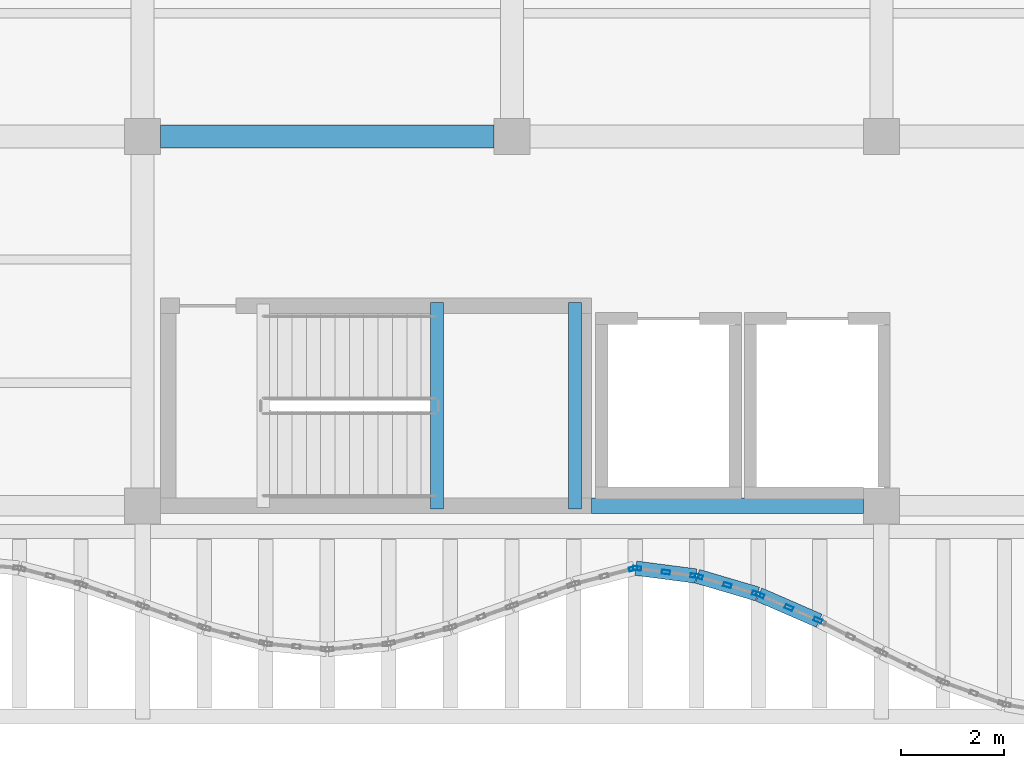
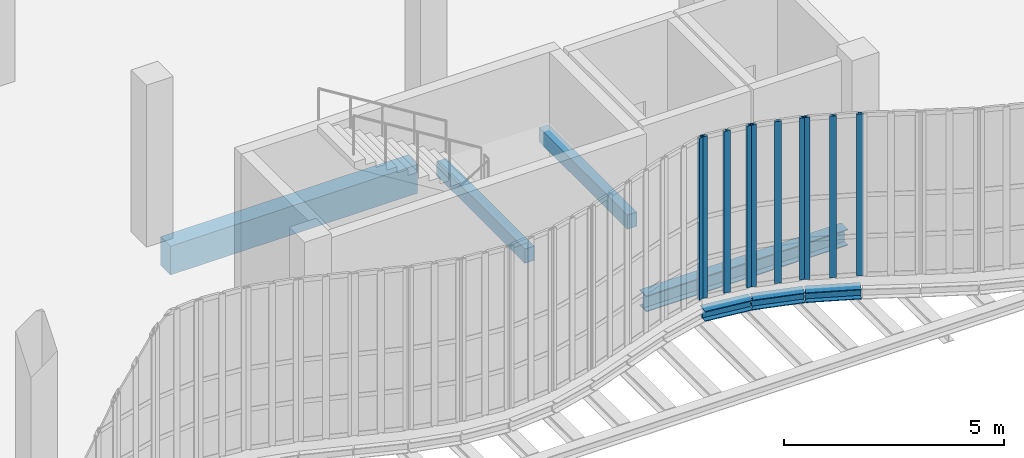
# One storey, part 17 of 108: 10 members, 7 beams, 4 elements without a shape of their own.
"""IFC4 building model written with IfcOpenShell, lengths in metres."""

from ifc_helpers import new_model, si_unit, direction, frame, origin, origin_2d, place, context, subcontext, project, spatial, rectangle, hollow_rectangle, i_section, extrude, material, layer, layer_set, material_profile, profile_set, type_object, element, aggregate, save


model = new_model("IFC4")

# Units and contexts
model_context = context("Model", 3, precision=1e-05, world=origin(), true_north=direction((0.0, 1.0)))
body_context = subcontext(model_context, "Body", "Model", "MODEL_VIEW")
ifc_project = project(units=[si_unit("LENGTHUNIT", "METRE"), si_unit("AREAUNIT", "SQUARE_METRE"), si_unit("VOLUMEUNIT", "CUBIC_METRE"), si_unit("PLANEANGLEUNIT", "RADIAN"), si_unit("MASSUNIT", "GRAM", prefix="KILO"), si_unit("THERMODYNAMICTEMPERATUREUNIT", "KELVIN"), si_unit("POWERUNIT", "WATT")], contexts=[model_context])

# Site, building, storey
site_placement = place(None, origin())
site = spatial("IfcSite", under=ifc_project, at=site_placement, CompositionType="ELEMENT")
building_placement = place(site_placement, origin())
building = spatial("IfcBuilding", under=site, at=building_placement, Name="Kaldorven Railside Theatre", CompositionType="ELEMENT")
storey_placement = place(building_placement, frame((0.0, 0.0, 5.39990234375)))
storey = spatial("IfcBuildingStorey", under=building, at=storey_placement, Name="L01", CompositionType="ELEMENT", Elevation=5.39990234375)

# Beams
ifc_material_1 = material(Name="Steel S355", Category="steel")
ifc_material_profile_1 = material_profile(ifc_material_1, i_section(OverallWidth=0.280029296875, OverallDepth=0.280029296875, WebThickness=0.010498046875, FlangeThickness=0.01806640625, at=origin_2d()), Name="HEB 280")
ifc_profile_set_1 = profile_set([ifc_material_profile_1], Name="Steel S355")
beam_type_1 = type_object("IfcBeamType", Name="BM-HEB280", PredefinedType="SPANDREL", material=ifc_profile_set_1)
beam_1_placement = place(storey_placement, frame((68.014892578125, 17.984130859375, -0.43994140625), z_axis=(0.991684423409, -0.12869345115, 0.0), x_axis=(0.12869345115, 0.991684423409, 0.0)))
element("IfcBeam", 1, at=beam_1_placement, inside=storey, type_object=beam_type_1, Name="L01 Sinusoidal Flute Edge Spandrel FSB-027", PredefinedType="SPANDREL", context=body_context, shape_type="SweptSolid", body=[
    extrude(i_section(OverallWidth=0.280029296875, OverallDepth=0.280029296875, WebThickness=0.010498046875, FlangeThickness=0.01806640625, at=origin_2d()), origin(), (0.0, 0.0, 1.0), 1.179931640625),
])
beam_2_placement = place(storey_placement, frame((69.21435546875, 17.826171875, -0.43994140625), z_axis=(0.959142332249, -0.28292399419, 0.0), x_axis=(0.28292399419, 0.959142332249, 0.0)))
element("IfcBeam", 2, at=beam_2_placement, inside=storey, type_object=beam_type_1, Name="L01 Sinusoidal Flute Edge Spandrel FSB-028", PredefinedType="SPANDREL", context=body_context, shape_type="SweptSolid", body=[
    extrude(i_section(OverallWidth=0.280029296875, OverallDepth=0.280029296875, WebThickness=0.010498046875, FlangeThickness=0.01806640625, at=origin_2d()), origin(), (0.0, 0.0, 1.0), 1.220947265625),
])
beam_3_placement = place(storey_placement, frame((70.413818359375, 17.470458984375, -0.43994140625), z_axis=(0.916988066929, -0.398914633864, 0.0), x_axis=(0.398914633864, 0.916988066929, 0.0)))
element("IfcBeam", 3, at=beam_3_placement, inside=storey, type_object=beam_type_1, Name="L01 Sinusoidal Flute Edge Spandrel FSB-029", PredefinedType="SPANDREL", context=body_context, shape_type="SweptSolid", body=[
    extrude(i_section(OverallWidth=0.280029296875, OverallDepth=0.280029296875, WebThickness=0.010498046875, FlangeThickness=0.01806640625, at=origin_2d()), origin(), (0.0, 0.0, 1.0), 1.278564453125),
])
ifc_material_profile_2 = material_profile(ifc_material_1, i_section(OverallWidth=0.300048828125, OverallDepth=0.449951171875, WebThickness=0.013916015625, FlangeThickness=0.02587890625, at=origin_2d()), Name="HEB 450")
ifc_profile_set_2 = profile_set([ifc_material_profile_2], Name="Steel S355")
beam_type_2 = type_object("IfcBeamType", Name="BM-HEB450", PredefinedType="BEAM", material=ifc_profile_set_2)
beam_4_placement = place(storey_placement, frame((67.14990234375, 19.199951171875, -0.52490234375), z_axis=(1.0, 0.0, 0.0), x_axis=(0.0, 1.0, 0.0)))
element("IfcBeam", 4, at=beam_4_placement, inside=storey, type_object=beam_type_2, Name="L01 South Spandrel Girder BGX-L01-067-019", PredefinedType="BEAM", context=body_context, shape_type="SweptSolid", body=[
    extrude(i_section(OverallWidth=0.300048828125, OverallDepth=0.449951171875, WebThickness=0.013916015625, FlangeThickness=0.02587890625, at=origin_2d()), origin(), (0.0, 0.0, 1.0), 5.300048828125),
])
ifc_material_2 = material(Name="Concrete C40/50", Category="concrete")
ifc_material_profile_3 = material_profile(ifc_material_2, rectangle(XDim=0.25, YDim=0.39990234375, at=origin_2d()), Name="RC 250x400")
ifc_profile_set_3 = profile_set([ifc_material_profile_3], Name="Concrete C40/50")
beam_type_3 = type_object("IfcBeamType", Name="BM-RC250x400", PredefinedType="LINTEL", material=ifc_profile_set_3)
for number, where, z_axis, x_axis, name in (
    (5, (64.135009765625, 19.139892578125, 1.85009765625), (0.0, 1.0, 0.0), (-1.0, 0.0, 0.0), "Stair ST-03 L01 Half-Landing Bearer"),
    (6, (66.830078125, 19.139892578125, 1.85009765625), (0.0, 1.0, 0.0), (-1.0, 0.0, 0.0), "Stair ST-03 L01 Half-Landing Bearer"),
):
    element("IfcBeam", number, at=place(storey_placement, frame(where, z_axis=z_axis, x_axis=x_axis)), inside=storey, type_object=beam_type_3, Name=name, PredefinedType="LINTEL", context=body_context, shape_type="SweptSolid", body=[
        extrude(rectangle(XDim=0.25, YDim=0.39990234375, at=origin_2d()), origin(), (0.0, 0.0, 1.0), 4.02001953125),
    ])
ifc_material_profile_4 = material_profile(ifc_material_2, rectangle(XDim=0.449951171875, YDim=0.800048828125, at=origin_2d()), Name="RC 450x800")
ifc_profile_set_4 = profile_set([ifc_material_profile_4], Name="Concrete C40/50")
beam_type_4 = type_object("IfcBeamType", Name="BM-RC450x800", PredefinedType="BEAM", material=ifc_profile_set_4)
beam_5_placement = place(storey_placement, frame((58.75, 26.39990234375, -0.699951171875), z_axis=(1.0, 0.0, 0.0), x_axis=(0.0, 1.0, 0.0)))
element("IfcBeam", 7, at=beam_5_placement, inside=storey, type_object=beam_type_4, Name="L01 Girder BGX-L01-058-026", PredefinedType="BEAM", context=body_context, shape_type="SweptSolid", body=[
    extrude(rectangle(XDim=0.449951171875, YDim=0.800048828125, at=origin_2d()), origin(), (0.0, 0.0, 1.0), 6.5),
])

# Curtain wall, member
ifc_material_3 = material(Name="Low-E laminated solar-control glass", Category="glass")
ifc_layer_1 = layer(ifc_material_3, 0.159912109375, Name="Low-E laminated solar-control glass")
ifc_layer_set_1 = layer_set([ifc_layer_1], Name="Low-E laminated solar-control glass")
curtain_wall_type_1 = type_object("IfcCurtainWallType", Name="CWT-02", PredefinedType="USERDEFINED", material=ifc_layer_set_1)
curtain_wall_1_placement = place(storey_placement, origin())
curtain_wall_1 = element("IfcCurtainWall", 8, at=curtain_wall_1_placement, inside=storey, type_object=curtain_wall_type_1, Name="Sinusoidal Fluted Curtain Wall CW-L01-S26", ObjectType="FLUTED GLAZING", PredefinedType="USERDEFINED")
ifc_material_4 = material(Name="Anodised bronze aluminium", Category="aluminium")
ifc_material_profile_5 = material_profile(ifc_material_4, hollow_rectangle(XDim=0.080078125, YDim=0.159912109375, WallThickness=0.00634765625, at=origin_2d()), Name="RHS 160x80x6.3")
ifc_profile_set_5 = profile_set([ifc_material_profile_5], Name="Anodised bronze aluminium")
member_type = type_object("IfcMemberType", Name="CWM-160", PredefinedType="MULLION", material=ifc_profile_set_5)
member_1_placement = place(storey_placement, frame((67.961181640625, 17.97607421875, 0.0), z_axis=(0.0, 0.0, 1.0), x_axis=(-0.250953760326, 0.967999075505, 0.0)))
member_1 = element("IfcMember", 9, at=member_1_placement, type_object=member_type, Name="CW-L01-S26 mullion 3", PredefinedType="MULLION", context=body_context, shape_type="SweptSolid", body=[
    extrude(hollow_rectangle(XDim=0.080078125, YDim=0.159912109375, WallThickness=0.00634765625, at=origin_2d()), origin(), (0.0, 0.0, 1.0), 4.5),
])
aggregate(curtain_wall_1, [member_1])

# Curtain wall, members
ifc_layer_2 = layer(ifc_material_3, 0.159912109375, Name="Low-E laminated solar-control glass")
ifc_layer_set_2 = layer_set([ifc_layer_2], Name="Low-E laminated solar-control glass")
curtain_wall_type_2 = type_object("IfcCurtainWallType", Name="CWT-03", PredefinedType="USERDEFINED", material=ifc_layer_set_2)
curtain_wall_2_placement = place(storey_placement, origin())
curtain_wall_2 = element("IfcCurtainWall", 10, at=curtain_wall_2_placement, inside=storey, type_object=curtain_wall_type_2, Name="Sinusoidal Fluted Curtain Wall CW-L01-S27", ObjectType="FLUTED GLAZING", PredefinedType="USERDEFINED")
member_2_placement = place(storey_placement, frame((68.03955078125, 17.98095703125, 0.0), z_axis=(0.0, 0.0, 1.0), x_axis=(0.12875269587, 0.991676733269, 0.0)))
member_2 = element("IfcMember", 11, at=member_2_placement, type_object=member_type, Name="CW-L01-S27 mullion 1", PredefinedType="MULLION", context=body_context, shape_type="SweptSolid", body=[
    extrude(hollow_rectangle(XDim=0.080078125, YDim=0.159912109375, WallThickness=0.00634765625, at=origin_2d()), origin(), (0.0, 0.0, 1.0), 4.5),
])
member_3_placement = place(storey_placement, frame((68.60009765625, 17.908203125, 0.0), z_axis=(0.0, 0.0, 1.0), x_axis=(0.12875269587, 0.991676733269, 0.0)))
member_3 = element("IfcMember", 12, at=member_3_placement, type_object=member_type, Name="CW-L01-S27 mullion 2", PredefinedType="MULLION", context=body_context, shape_type="SweptSolid", body=[
    extrude(hollow_rectangle(XDim=0.080078125, YDim=0.159912109375, WallThickness=0.00634765625, at=origin_2d()), origin(), (0.0, 0.0, 1.0), 4.5),
])
member_4_placement = place(storey_placement, frame((69.160400390625, 17.83544921875, 0.0), z_axis=(0.0, 0.0, 1.0), x_axis=(0.12875269587, 0.991676733269, 0.0)))
member_4 = element("IfcMember", 13, at=member_4_placement, type_object=member_type, Name="CW-L01-S27 mullion 3", PredefinedType="MULLION", context=body_context, shape_type="SweptSolid", body=[
    extrude(hollow_rectangle(XDim=0.080078125, YDim=0.159912109375, WallThickness=0.00634765625, at=origin_2d()), origin(), (0.0, 0.0, 1.0), 4.5),
])
aggregate(curtain_wall_2, [member_2, member_3, member_4])

ifc_layer_3 = layer(ifc_material_3, 0.159912109375, Name="Low-E laminated solar-control glass")
ifc_layer_set_3 = layer_set([ifc_layer_3], Name="Low-E laminated solar-control glass")
curtain_wall_type_3 = type_object("IfcCurtainWallType", Name="CWT-04", PredefinedType="USERDEFINED", material=ifc_layer_set_3)
curtain_wall_3_placement = place(storey_placement, origin())
curtain_wall_3 = element("IfcCurtainWall", 14, at=curtain_wall_3_placement, inside=storey, type_object=curtain_wall_type_3, Name="Sinusoidal Fluted Curtain Wall CW-L01-S28", ObjectType="FLUTED GLAZING", PredefinedType="USERDEFINED")
member_5_placement = place(storey_placement, frame((69.23828125, 17.819091796875, 0.0), z_axis=(0.0, 0.0, 1.0), x_axis=(0.282871615621, 0.959157781116, 0.0)))
member_5 = element("IfcMember", 15, at=member_5_placement, type_object=member_type, Name="CW-L01-S28 mullion 1", PredefinedType="MULLION", context=body_context, shape_type="SweptSolid", body=[
    extrude(hollow_rectangle(XDim=0.080078125, YDim=0.159912109375, WallThickness=0.00634765625, at=origin_2d()), origin(), (0.0, 0.0, 1.0), 4.5),
])
member_6_placement = place(storey_placement, frame((69.800048828125, 17.6533203125, 0.0), z_axis=(0.0, 0.0, 1.0), x_axis=(0.282871615621, 0.959157781116, 0.0)))
member_6 = element("IfcMember", 16, at=member_6_placement, type_object=member_type, Name="CW-L01-S28 mullion 2", PredefinedType="MULLION", context=body_context, shape_type="SweptSolid", body=[
    extrude(hollow_rectangle(XDim=0.080078125, YDim=0.159912109375, WallThickness=0.00634765625, at=origin_2d()), origin(), (0.0, 0.0, 1.0), 4.5),
])
member_7_placement = place(storey_placement, frame((70.361572265625, 17.48779296875, 0.0), z_axis=(0.0, 0.0, 1.0), x_axis=(0.282871615621, 0.959157781116, 0.0)))
member_7 = element("IfcMember", 17, at=member_7_placement, type_object=member_type, Name="CW-L01-S28 mullion 3", PredefinedType="MULLION", context=body_context, shape_type="SweptSolid", body=[
    extrude(hollow_rectangle(XDim=0.080078125, YDim=0.159912109375, WallThickness=0.00634765625, at=origin_2d()), origin(), (0.0, 0.0, 1.0), 4.5),
])
aggregate(curtain_wall_3, [member_5, member_6, member_7])

ifc_layer_4 = layer(ifc_material_3, 0.159912109375, Name="Low-E laminated solar-control glass")
ifc_layer_set_4 = layer_set([ifc_layer_4], Name="Low-E laminated solar-control glass")
curtain_wall_type_4 = type_object("IfcCurtainWallType", Name="CWT-05", PredefinedType="USERDEFINED", material=ifc_layer_set_4)
curtain_wall_4_placement = place(storey_placement, origin())
curtain_wall_4 = element("IfcCurtainWall", 18, at=curtain_wall_4_placement, inside=storey, type_object=curtain_wall_type_4, Name="Sinusoidal Fluted Curtain Wall CW-L01-S29", ObjectType="FLUTED GLAZING", PredefinedType="USERDEFINED")
member_8_placement = place(storey_placement, frame((70.436767578125, 17.46044921875, 0.0), z_axis=(0.0, 0.0, 1.0), x_axis=(0.398893759235, 0.916997147675, 0.0)))
member_8 = element("IfcMember", 19, at=member_8_placement, type_object=member_type, Name="CW-L01-S29 mullion 1", PredefinedType="MULLION", context=body_context, shape_type="SweptSolid", body=[
    extrude(hollow_rectangle(XDim=0.080078125, YDim=0.159912109375, WallThickness=0.00634765625, at=origin_2d()), origin(), (0.0, 0.0, 1.0), 4.5),
])
member_9_placement = place(storey_placement, frame((71.0, 17.21533203125, 0.0), z_axis=(0.0, 0.0, 1.0), x_axis=(0.398893759235, 0.916997147675, 0.0)))
member_9 = element("IfcMember", 20, at=member_9_placement, type_object=member_type, Name="CW-L01-S29 mullion 2", PredefinedType="MULLION", context=body_context, shape_type="SweptSolid", body=[
    extrude(hollow_rectangle(XDim=0.080078125, YDim=0.159912109375, WallThickness=0.00634765625, at=origin_2d()), origin(), (0.0, 0.0, 1.0), 4.5),
])
member_10_placement = place(storey_placement, frame((71.563232421875, 16.970458984375, 0.0), z_axis=(0.0, 0.0, 1.0), x_axis=(0.398893759235, 0.916997147675, 0.0)))
member_10 = element("IfcMember", 21, at=member_10_placement, type_object=member_type, Name="CW-L01-S29 mullion 3", PredefinedType="MULLION", context=body_context, shape_type="SweptSolid", body=[
    extrude(hollow_rectangle(XDim=0.080078125, YDim=0.159912109375, WallThickness=0.00634765625, at=origin_2d()), origin(), (0.0, 0.0, 1.0), 4.5),
])
aggregate(curtain_wall_4, [member_8, member_9, member_10])

save(model, "model.ifc")
